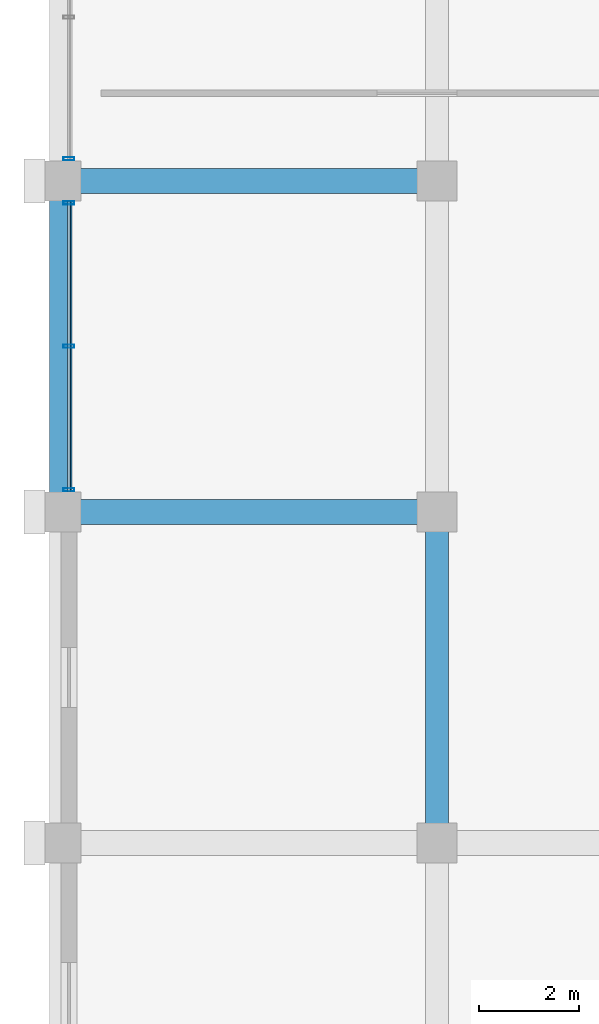
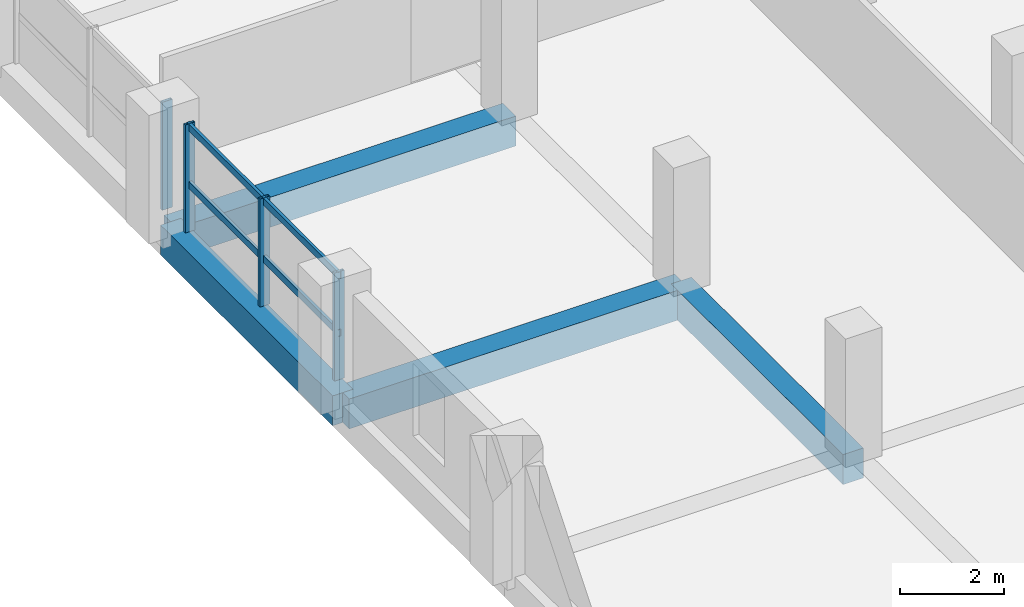
# One storey, part 4 of 21: 6 members, 4 beams, 2 elements without a shape of their own.
"""IFC4 building model written with IfcOpenShell, lengths in metres."""

from ifc_helpers import new_model, si_unit, direction, frame, origin, origin_2d, place, context, subcontext, project, spatial, rectangle, hollow_rectangle, extrude, material, material_profile, profile_set, type_object, element, aggregate, save


model = new_model("IFC4")

# Units and contexts
model_context = context("Model", 3, precision=1e-05, world=origin(), true_north=direction((0.0, 1.0)))
body_context = subcontext(model_context, "Body", "Model", "MODEL_VIEW")
ifc_project = project(units=[si_unit("LENGTHUNIT", "METRE"), si_unit("AREAUNIT", "SQUARE_METRE"), si_unit("VOLUMEUNIT", "CUBIC_METRE"), si_unit("PLANEANGLEUNIT", "RADIAN"), si_unit("MASSUNIT", "GRAM", prefix="KILO")], contexts=[model_context])

# Site, building, storey
site_placement = place(None, origin())
site = spatial("IfcSite", under=ifc_project, at=site_placement, CompositionType="ELEMENT")
building_placement = place(site_placement, origin())
building = spatial("IfcBuilding", under=site, at=building_placement, Name="Akrevak Sports Hall", CompositionType="ELEMENT")
storey_placement = place(building_placement, frame((0.0, 0.0, 37.300048828125)))
storey = spatial("IfcBuildingStorey", under=building, at=storey_placement, Name="L08", CompositionType="ELEMENT", Elevation=37.300048828125)

# Curtain wall, member
ifc_material_1 = material(Name="Anodized Bronze Aluminium & Low-E Glass", Category="aluminium")
curtain_wall_type = type_object("IfcCurtainWallType", Name="ARC-CW-TWR-72x30", PredefinedType="NOTDEFINED", material=ifc_material_1)
curtain_wall_1_placement = place(storey_placement, origin())
curtain_wall_1 = element("IfcCurtainWall", 1, at=curtain_wall_1_placement, inside=storey, type_object=curtain_wall_type, Name="Curtain Wall CW-L08-W30", PredefinedType="NOTDEFINED")
ifc_material_2 = material(Name="Anodized Bronze Aluminium", Category="aluminium")
ifc_material_profile_1 = material_profile(ifc_material_2, hollow_rectangle(XDim=0.06494140625, YDim=0.219970703125, WallThickness=0.00439453125, at=origin_2d()), Name="CWM 65x220", Category="aluminium")
ifc_profile_set_1 = profile_set([ifc_material_profile_1], Name="Anodized Bronze Aluminium")
member_type_1 = type_object("IfcMemberType", Name="ARC-CWM-70x160", PredefinedType="MULLION", material=ifc_profile_set_1)
member_1_placement = place(storey_placement, frame((45.159912109375, 49.0400390625, 0.0), z_axis=(0.0, 0.0, 1.0), x_axis=(0.0, -1.0, 0.0)))
member_1 = element("IfcMember", 2, at=member_1_placement, type_object=member_type_1, Name="Curtain Wall Mullion CW-L08-W30-M3", PredefinedType="MULLION", context=body_context, shape_type="SweptSolid", body=[
    extrude(hollow_rectangle(XDim=0.06494140625, YDim=0.219970703125, WallThickness=0.00439453125, at=origin_2d()), origin(), (0.0, 0.0, 1.0), 2.530029296875),
])
aggregate(curtain_wall_1, [member_1])

# Curtain wall, members
curtain_wall_2_placement = place(storey_placement, origin())
curtain_wall_2 = element("IfcCurtainWall", 3, at=curtain_wall_2_placement, inside=storey, type_object=curtain_wall_type, Name="Curtain Wall CW-L08-W31", PredefinedType="NOTDEFINED")
member_2_placement = place(storey_placement, frame((45.159912109375, 48.159912109375, 0.0), z_axis=(0.0, 0.0, 1.0), x_axis=(0.0, -1.0, 0.0)))
member_2 = element("IfcMember", 4, at=member_2_placement, type_object=member_type_1, Name="Curtain Wall Mullion CW-L08-W31-M1", PredefinedType="MULLION", context=body_context, shape_type="SweptSolid", body=[
    extrude(hollow_rectangle(XDim=0.06494140625, YDim=0.219970703125, WallThickness=0.00439453125, at=origin_2d()), origin(), (0.0, 0.0, 1.0), 2.530029296875),
])
member_3_placement = place(storey_placement, frame((45.159912109375, 45.300048828125, 0.0), z_axis=(0.0, 0.0, 1.0), x_axis=(0.0, -1.0, 0.0)))
member_3 = element("IfcMember", 5, at=member_3_placement, type_object=member_type_1, Name="Curtain Wall Mullion CW-L08-W31-M2", PredefinedType="MULLION", context=body_context, shape_type="SweptSolid", body=[
    extrude(hollow_rectangle(XDim=0.06494140625, YDim=0.219970703125, WallThickness=0.00439453125, at=origin_2d()), origin(), (0.0, 0.0, 1.0), 2.530029296875),
])
member_4_placement = place(storey_placement, frame((45.159912109375, 42.43994140625, 0.0), z_axis=(0.0, 0.0, 1.0), x_axis=(0.0, -1.0, 0.0)))
member_4 = element("IfcMember", 6, at=member_4_placement, type_object=member_type_1, Name="Curtain Wall Mullion CW-L08-W31-M3", PredefinedType="MULLION", context=body_context, shape_type="SweptSolid", body=[
    extrude(hollow_rectangle(XDim=0.06494140625, YDim=0.219970703125, WallThickness=0.00439453125, at=origin_2d()), origin(), (0.0, 0.0, 1.0), 2.530029296875),
])
ifc_material_profile_2 = material_profile(ifc_material_2, hollow_rectangle(XDim=0.06494140625, YDim=0.159912109375, WallThickness=0.00390625, at=origin_2d()), Name="CWT 65x160", Category="aluminium")
ifc_profile_set_2 = profile_set([ifc_material_profile_2], Name="Anodized Bronze Aluminium")
member_type_2 = type_object("IfcMemberType", Name="ARC-CWT-70x130", PredefinedType="USERDEFINED", material=ifc_profile_set_2)
member_5_placement = place(storey_placement, frame((45.159912109375, 48.199951171875, 1.099853515625), z_axis=(0.0, -1.0, 0.0), x_axis=(1.0, 0.0, 0.0)))
member_5 = element("IfcMember", 7, at=member_5_placement, type_object=member_type_2, Name="Curtain Wall Transom CW-L08-W31-T1", ObjectType="TRANSOM", PredefinedType="USERDEFINED", context=body_context, shape_type="SweptSolid", body=[
    extrude(hollow_rectangle(XDim=0.06494140625, YDim=0.159912109375, WallThickness=0.00390625, at=origin_2d()), origin(), (0.0, 0.0, 1.0), 5.800048828125),
])
member_6_placement = place(storey_placement, frame((45.159912109375, 48.199951171875, 2.449951171875), z_axis=(0.0, -1.0, 0.0), x_axis=(1.0, 0.0, 0.0)))
member_6 = element("IfcMember", 8, at=member_6_placement, type_object=member_type_2, Name="Curtain Wall Transom CW-L08-W31-T2", ObjectType="TRANSOM", PredefinedType="USERDEFINED", context=body_context, shape_type="SweptSolid", body=[
    extrude(hollow_rectangle(XDim=0.06494140625, YDim=0.159912109375, WallThickness=0.00390625, at=origin_2d()), origin(), (0.0, 0.0, 1.0), 5.800048828125),
])
aggregate(curtain_wall_2, [member_2, member_3, member_4, member_5, member_6])

# Beams
ifc_material_3 = material(Name="Concrete C40/50", Category="concrete")
ifc_material_profile_3 = material_profile(ifc_material_3, rectangle(XDim=0.449951171875, YDim=0.699951171875, at=origin_2d()), Name="BM 450x700", Category="concrete")
ifc_profile_set_3 = profile_set([ifc_material_profile_3], Name="Concrete C40/50")
beam_type_1 = type_object("IfcBeamType", Name="STR-BM-RC450x700", PredefinedType="BEAM", material=ifc_profile_set_3)
for number, where, z_axis, x_axis, name in (
    (9, (45.0, 42.0, -0.35009765625), (0.0, 1.0, 0.0), (-1.0, 0.0, 0.0), "Girder 7/G-H (L08)"),
    (10, (52.5, 35.39990234375, -0.35009765625), (0.0, 1.0, 0.0), (-1.0, 0.0, 0.0), "Girder 8/F-G (L08)"),
):
    element("IfcBeam", number, at=place(storey_placement, frame(where, z_axis=z_axis, x_axis=x_axis)), inside=storey, type_object=beam_type_1, Name=name, PredefinedType="BEAM", context=body_context, shape_type="SweptSolid", body=[
        extrude(rectangle(XDim=0.449951171875, YDim=0.699951171875, at=origin_2d()), origin(), (0.0, 0.0, 1.0), 6.60009765625),
    ])
ifc_material_profile_4 = material_profile(ifc_material_3, rectangle(XDim=0.5, YDim=0.699951171875, at=origin_2d()), Name="BM 500x700", Category="concrete")
ifc_profile_set_4 = profile_set([ifc_material_profile_4], Name="Concrete C40/50")
beam_type_2 = type_object("IfcBeamType", Name="STR-BM-RC500x700", PredefinedType="BEAM", material=ifc_profile_set_4)
for number, where, z_axis, x_axis, name in (
    (11, (45.0, 42.0, -0.35009765625), (1.0, 0.0, 0.0), (0.0, 1.0, 0.0), "Girder G/7-8 (L08)"),
    (12, (45.0, 48.60009765625, -0.35009765625), (1.0, 0.0, 0.0), (0.0, 1.0, 0.0), "Girder H/7-8 (L08)"),
):
    element("IfcBeam", number, at=place(storey_placement, frame(where, z_axis=z_axis, x_axis=x_axis)), inside=storey, type_object=beam_type_2, Name=name, PredefinedType="BEAM", context=body_context, shape_type="SweptSolid", body=[
        extrude(rectangle(XDim=0.5, YDim=0.699951171875, at=origin_2d()), origin(), (0.0, 0.0, 1.0), 7.5),
    ])

save(model, "model.ifc")
